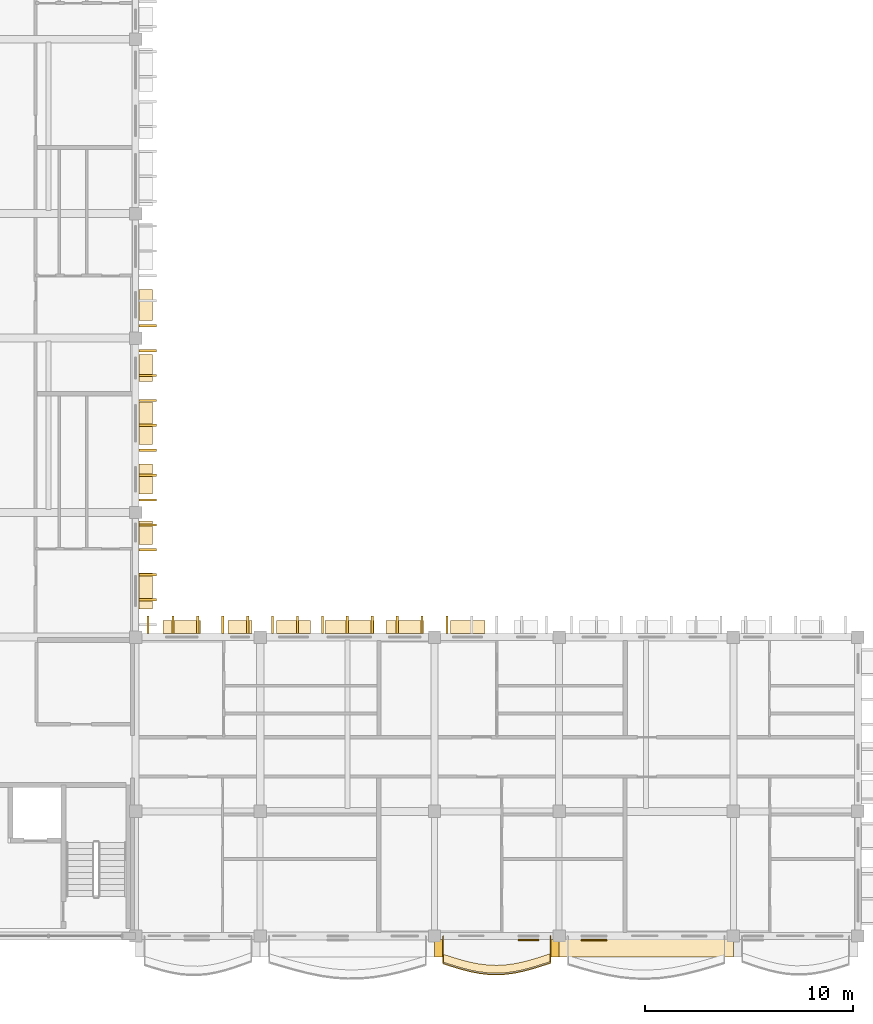
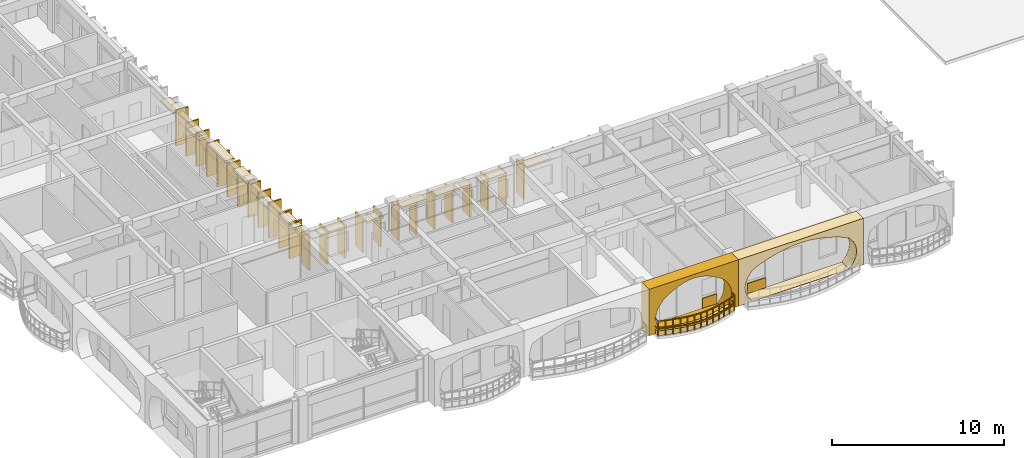
# One storey, part 71 of 101: 42 coverings, 1 railing.
"""IFC4 building model written with IfcOpenShell, lengths in metres."""

from ifc_helpers import new_model, si_unit, direction, frame, origin, origin_2d, place, context, subcontext, project, spatial, polyline, rectangle, outline, extrude, material, layer, layer_set, type_object, element, save


model = new_model("IFC4")

# Units and contexts
model_context = context("Model", 3, precision=1e-05, world=origin(), true_north=direction((0.0, 1.0)))
body_context = subcontext(model_context, "Body", "Model", "MODEL_VIEW")
ifc_project = project(units=[si_unit("LENGTHUNIT", "METRE"), si_unit("AREAUNIT", "SQUARE_METRE"), si_unit("VOLUMEUNIT", "CUBIC_METRE"), si_unit("PLANEANGLEUNIT", "RADIAN"), si_unit("MASSUNIT", "GRAM", prefix="KILO"), si_unit("THERMODYNAMICTEMPERATUREUNIT", "KELVIN")], contexts=[model_context])

# Site, building, storey
site_placement = place(None, origin())
site = spatial("IfcSite", under=ifc_project, at=site_placement, CompositionType="ELEMENT")
building_placement = place(site_placement, origin())
building = spatial("IfcBuilding", under=site, at=building_placement, Name="Thalorik Housing Commons", CompositionType="ELEMENT")
storey_placement = place(building_placement, frame((0.0, 0.0, 8.10009765625)))
storey = spatial("IfcBuildingStorey", under=building, at=storey_placement, Name="L02", CompositionType="ELEMENT", Elevation=8.10009765625)

# Coverings
ifc_material_1 = material(Name="Cobalt blue glazed ceramic facade tile panel", Category="masonry")
ifc_layer_1 = layer(ifc_material_1, 0.06005859375, Name="Cobalt blue glazed ceramic facade tile panel", Category="masonry")
ifc_layer_set_1 = layer_set([ifc_layer_1], Name="Cobalt blue glazed ceramic facade tile panel")
covering_type_1 = type_object("IfcCoveringType", Name="ARC-CLD-BLU-60", PredefinedType="CLADDING", material=ifc_layer_set_1)
covering_1_placement = place(storey_placement, frame((41.72998046875, 8.205078125, 0.0498046875), z_axis=(0.0, 0.0, 1.0), x_axis=(1.0, 0.0, 0.0)))
element("IfcCovering", 1, at=covering_1_placement, inside=storey, type_object=covering_type_1, Name="L02 De Stijl Recessed Window Spandrel 3608", PredefinedType="CLADDING", context=body_context, shape_type="SweptSolid", body=[
    extrude(rectangle(XDim=1.0, YDim=0.06005859375, at=origin_2d()), origin(), (0.0, 0.0, 1.0), 0.699951171875),
])
ifc_material_2 = material(Name="Precast concrete C40/50", Category="concrete")
ifc_layer_2 = layer(ifc_material_2, 0.85009765625, Name="Precast concrete C40/50", Category="concrete")
ifc_layer_set_2 = layer_set([ifc_layer_2], Name="Precast concrete C40/50")
covering_type_2 = type_object("IfcCoveringType", Name="ARC-CLD-CUSH-850", PredefinedType="CLADDING", material=ifc_layer_set_2)
covering_2_placement = place(storey_placement, frame((40.199951171875, 7.81494140625, 0.0), z_axis=(0.0, 0.0, 1.0), x_axis=(1.0, 0.0, 0.0)))
element("IfcCovering", 2, at=covering_2_placement, inside=storey, type_object=covering_type_2, Name="L02 White Precast Curved Cushion Bay Frame 3607", PredefinedType="CLADDING", context=body_context, shape_type="SweptSolid", body=[
    extrude(outline(polyline([(-3.0, 0.0), (3.0, 0.0), (3.0, 3.300048828125), (-3.0, 3.300048828125), (-3.0, 0.0)]), holes=[polyline([(2.080078125, 0.02490234375), (2.341064453125, 0.387451171875), (2.497802734375, 0.75), (2.550048828125, 1.112548828125), (2.497802734375, 1.47509765625), (2.341064453125, 1.83740234375), (2.080078125, 2.199951171875), (1.73681640625, 2.455810546875), (1.393310546875, 2.656494140625), (1.050048828125, 2.819091796875), (0.706787109375, 2.940185546875), (0.36328125, 3.014892578125), (0.02001953125, 3.0400390625), (-0.3232421875, 3.014892578125), (-0.666748046875, 2.940185546875), (-1.010009765625, 2.819091796875), (-1.353271484375, 2.656494140625), (-1.69677734375, 2.455810546875), (-2.0400390625, 2.199951171875), (-2.3232421875, 1.83740234375), (-2.493408203125, 1.47509765625), (-2.550048828125, 1.112548828125), (-2.493408203125, 0.75), (-2.3232421875, 0.387451171875), (-2.0400390625, 0.02490234375), (2.080078125, 0.02490234375)])]), frame((0.0, 0.425048828125, 0.0), z_axis=(0.0, -1.0, 0.0), x_axis=(1.0, 0.0, 0.0)), (0.0, 0.0, 1.0), 0.85009765625),
])
covering_3_placement = place(storey_placement, frame((47.39990234375, 7.81494140625, 0.0), z_axis=(0.0, 0.0, 1.0), x_axis=(1.0, 0.0, 0.0)))
element("IfcCovering", 3, at=covering_3_placement, inside=storey, type_object=covering_type_2, Name="L02 White Precast Curved Cushion Bay Frame 3609", PredefinedType="CLADDING", context=body_context, shape_type="SweptSolid", body=[
    extrude(outline(polyline([(-4.199951171875, 0.0), (4.199951171875, 0.0), (4.199951171875, 3.300048828125), (-4.199951171875, 3.300048828125), (-4.199951171875, 0.0)]), holes=[polyline([(3.239990234375, 0.02490234375), (3.523193359375, 0.394287109375), (3.693359375, 0.76318359375), (3.75, 1.132568359375), (3.693359375, 1.501708984375), (3.523193359375, 1.870849609375), (3.239990234375, 2.239990234375), (2.699951171875, 2.4833984375), (2.159912109375, 2.6748046875), (1.6201171875, 2.82958984375), (1.080078125, 2.94482421875), (0.5400390625, 3.01611328125), (0.0, 3.0400390625), (-0.5400390625, 3.01611328125), (-1.080078125, 2.94482421875), (-1.6201171875, 2.82958984375), (-2.159912109375, 2.6748046875), (-2.699951171875, 2.4833984375), (-3.239990234375, 2.239990234375), (-3.523193359375, 1.870849609375), (-3.693359375, 1.501708984375), (-3.75, 1.132568359375), (-3.693359375, 0.76318359375), (-3.523193359375, 0.394287109375), (-3.239990234375, 0.02490234375), (3.239990234375, 0.02490234375)])]), frame((0.0, 0.425048828125, 0.0), z_axis=(0.0, -1.0, 0.0), x_axis=(1.0, 0.0, 0.0)), (0.0, 0.0, 1.0), 0.85009765625),
])
ifc_layer_3 = layer(ifc_material_2, 0.85009765625, Name="Precast concrete C40/50", Category="concrete")
ifc_layer_set_3 = layer_set([ifc_layer_3], Name="Precast concrete C40/50")
covering_type_3 = type_object("IfcCoveringType", Name="ARC-CLD-FIN-850", PredefinedType="CLADDING", material=ifc_layer_set_3)
for number, where, z_axis, x_axis, name in (
    (4, (23.385009765625, 24.60009765625, 0.039794921875), (0.0, 0.0, 1.0), (0.0, 1.0, 0.0), "L02 Courtyard Precast Vertical Brise-Soleil Fin 3532"),
    (5, (23.385009765625, 25.800048828125, 0.039794921875), (0.0, 0.0, 1.0), (0.0, 1.0, 0.0), "L02 Courtyard Precast Vertical Brise-Soleil Fin 3533"),
    (6, (23.385009765625, 27.0, 0.039794921875), (0.0, 0.0, 1.0), (0.0, 1.0, 0.0), "L02 Courtyard Precast Vertical Brise-Soleil Fin 3534"),
    (7, (23.385009765625, 28.199951171875, 0.039794921875), (0.0, 0.0, 1.0), (0.0, 1.0, 0.0), "L02 Courtyard Precast Vertical Brise-Soleil Fin 3535"),
):
    element("IfcCovering", number, at=place(storey_placement, frame(where, z_axis=z_axis, x_axis=x_axis)), inside=storey, type_object=covering_type_3, Name=name, PredefinedType="CLADDING", context=body_context, shape_type="SweptSolid", body=[
        extrude(rectangle(XDim=0.110107421875, YDim=0.85009765625, at=origin_2d()), origin(), (0.0, 0.0, 1.0), 2.4951171875),
    ])
for number, where, z_axis, x_axis, name in (
    (8, (23.385009765625, 29.39990234375, 0.0400390625), (0.0, 0.0, 1.0), (0.0, 1.0, 0.0), "L02 Courtyard Precast Vertical Brise-Soleil Fin 3538"),
    (9, (23.385009765625, 30.60009765625, 0.0400390625), (0.0, 0.0, 1.0), (0.0, 1.0, 0.0), "L02 Courtyard Precast Vertical Brise-Soleil Fin 3539"),
    (10, (23.385009765625, 31.800048828125, 0.0400390625), (0.0, 0.0, 1.0), (0.0, 1.0, 0.0), "L02 Courtyard Precast Vertical Brise-Soleil Fin 3540"),
    (11, (23.385009765625, 33.0, 0.0400390625), (0.0, 0.0, 1.0), (0.0, 1.0, 0.0), "L02 Courtyard Precast Vertical Brise-Soleil Fin 3541"),
    (12, (23.385009765625, 34.199951171875, 0.0400390625), (0.0, 0.0, 1.0), (0.0, 1.0, 0.0), "L02 Courtyard Precast Vertical Brise-Soleil Fin 3542"),
    (13, (23.385009765625, 35.39990234375, 0.0400390625), (0.0, 0.0, 1.0), (0.0, 1.0, 0.0), "L02 Courtyard Precast Vertical Brise-Soleil Fin 3543"),
    (14, (23.385009765625, 36.60009765625, 0.0400390625), (0.0, 0.0, 1.0), (0.0, 1.0, 0.0), "L02 Courtyard Precast Vertical Brise-Soleil Fin 3544"),
):
    element("IfcCovering", number, at=place(storey_placement, frame(where, z_axis=z_axis, x_axis=x_axis)), inside=storey, type_object=covering_type_3, Name=name, PredefinedType="CLADDING", context=body_context, shape_type="SweptSolid", body=[
        extrude(rectangle(XDim=0.110107421875, YDim=0.85009765625, at=origin_2d()), origin(), (0.0, 0.0, 1.0), 2.344970703125),
    ])
covering_4_placement = place(storey_placement, frame((23.385009765625, 37.800048828125, 0.039794921875), z_axis=(0.0, 0.0, 1.0), x_axis=(0.0, 1.0, 0.0)))
element("IfcCovering", 15, at=covering_4_placement, inside=storey, type_object=covering_type_3, Name="L02 Courtyard Precast Vertical Brise-Soleil Fin 3548", PredefinedType="CLADDING", context=body_context, shape_type="SweptSolid", body=[
    extrude(rectangle(XDim=0.110107421875, YDim=0.85009765625, at=origin_2d()), origin(), (0.0, 0.0, 1.0), 2.4951171875),
])
covering_5_placement = place(storey_placement, frame((37.800048828125, 23.385009765625, 0.039794921875), z_axis=(0.0, 0.0, 1.0), x_axis=(-1.0, 0.0, 0.0)))
element("IfcCovering", 16, at=covering_5_placement, inside=storey, type_object=covering_type_3, Name="L02 Courtyard Precast Vertical Brise-Soleil Fin 3651", PredefinedType="CLADDING", context=body_context, shape_type="SweptSolid", body=[
    extrude(rectangle(XDim=0.110107421875, YDim=0.85009765625, at=origin_2d()), origin(), (0.0, 0.0, 1.0), 2.39501953125),
])
for number, where, z_axis, x_axis, name in (
    (17, (36.60009765625, 23.385009765625, 0.0400390625), (0.0, 0.0, 1.0), (-1.0, 0.0, 0.0), "L02 Courtyard Precast Vertical Brise-Soleil Fin 3654"),
    (18, (35.39990234375, 23.385009765625, 0.0400390625), (0.0, 0.0, 1.0), (-1.0, 0.0, 0.0), "L02 Courtyard Precast Vertical Brise-Soleil Fin 3655"),
    (19, (34.199951171875, 23.385009765625, 0.0400390625), (0.0, 0.0, 1.0), (-1.0, 0.0, 0.0), "L02 Courtyard Precast Vertical Brise-Soleil Fin 3656"),
    (20, (33.0, 23.385009765625, 0.0400390625), (0.0, 0.0, 1.0), (-1.0, 0.0, 0.0), "L02 Courtyard Precast Vertical Brise-Soleil Fin 3657"),
    (21, (31.800048828125, 23.385009765625, 0.0400390625), (0.0, 0.0, 1.0), (-1.0, 0.0, 0.0), "L02 Courtyard Precast Vertical Brise-Soleil Fin 3658"),
    (22, (30.60009765625, 23.385009765625, 0.0400390625), (0.0, 0.0, 1.0), (-1.0, 0.0, 0.0), "L02 Courtyard Precast Vertical Brise-Soleil Fin 3659"),
    (23, (29.39990234375, 23.385009765625, 0.0400390625), (0.0, 0.0, 1.0), (-1.0, 0.0, 0.0), "L02 Courtyard Precast Vertical Brise-Soleil Fin 3660"),
):
    element("IfcCovering", number, at=place(storey_placement, frame(where, z_axis=z_axis, x_axis=x_axis)), inside=storey, type_object=covering_type_3, Name=name, PredefinedType="CLADDING", context=body_context, shape_type="SweptSolid", body=[
        extrude(rectangle(XDim=0.110107421875, YDim=0.85009765625, at=origin_2d()), origin(), (0.0, 0.0, 1.0), 2.294921875),
    ])
for number, where, z_axis, x_axis, name in (
    (24, (28.199951171875, 23.385009765625, 0.039794921875), (0.0, 0.0, 1.0), (-1.0, 0.0, 0.0), "L02 Courtyard Precast Vertical Brise-Soleil Fin 3664"),
    (25, (27.0, 23.385009765625, 0.039794921875), (0.0, 0.0, 1.0), (-1.0, 0.0, 0.0), "L02 Courtyard Precast Vertical Brise-Soleil Fin 3665"),
    (26, (25.800048828125, 23.385009765625, 0.039794921875), (0.0, 0.0, 1.0), (-1.0, 0.0, 0.0), "L02 Courtyard Precast Vertical Brise-Soleil Fin 3666"),
    (27, (24.60009765625, 23.385009765625, 0.039794921875), (0.0, 0.0, 1.0), (-1.0, 0.0, 0.0), "L02 Courtyard Precast Vertical Brise-Soleil Fin 3667"),
    (28, (23.39990234375, 23.385009765625, 0.039794921875), (0.0, 0.0, 1.0), (-1.0, 0.0, 0.0), "L02 Courtyard Precast Vertical Brise-Soleil Fin 3668"),
):
    element("IfcCovering", number, at=place(storey_placement, frame(where, z_axis=z_axis, x_axis=x_axis)), inside=storey, type_object=covering_type_3, Name=name, PredefinedType="CLADDING", context=body_context, shape_type="SweptSolid", body=[
        extrude(rectangle(XDim=0.110107421875, YDim=0.85009765625, at=origin_2d()), origin(), (0.0, 0.0, 1.0), 2.39501953125),
    ])
ifc_layer_4 = layer(ifc_material_2, 0.64990234375, Name="Precast concrete C40/50", Category="concrete")
ifc_layer_set_4 = layer_set([ifc_layer_4], Name="Precast concrete C40/50")
covering_type_4 = type_object("IfcCoveringType", Name="ARC-CLD-HOOD-650", PredefinedType="CLADDING", material=ifc_layer_set_4)
covering_6_placement = place(storey_placement, frame((23.284912109375, 25.021484375, 2.31005859375), z_axis=(0.0, 0.0, 1.0), x_axis=(0.0, 1.0, 0.0)))
element("IfcCovering", 29, at=covering_6_placement, inside=storey, type_object=covering_type_4, Name="L02 Courtyard Precast Window Sun-Hood 3536", PredefinedType="CLADDING", context=body_context, shape_type="SweptSolid", body=[
    extrude(rectangle(XDim=1.719970703125, YDim=0.64990234375, at=origin_2d()), origin(), (0.0, 0.0, 1.0), 0.139892578125),
])
covering_7_placement = place(storey_placement, frame((23.284912109375, 27.831298828125, 1.98974609375), z_axis=(0.0, 0.0, 1.0), x_axis=(0.0, 1.0, 0.0)))
element("IfcCovering", 30, at=covering_7_placement, inside=storey, type_object=covering_type_4, Name="L02 Courtyard Precast Window Sun-Hood 3537", PredefinedType="CLADDING", context=body_context, shape_type="SweptSolid", body=[
    extrude(rectangle(XDim=1.139892578125, YDim=0.64990234375, at=origin_2d()), origin(), (0.0, 0.0, 1.0), 0.139892578125),
])
covering_8_placement = place(storey_placement, frame((23.284912109375, 30.407470703125, 2.27490234375), z_axis=(0.0, 0.0, 1.0), x_axis=(0.0, 1.0, 0.0)))
element("IfcCovering", 31, at=covering_8_placement, inside=storey, type_object=covering_type_4, Name="L02 Courtyard Precast Window Sun-Hood 3545", PredefinedType="CLADDING", context=body_context, shape_type="SweptSolid", body=[
    extrude(rectangle(XDim=1.43994140625, YDim=0.64990234375, at=origin_2d()), origin(), (0.0, 0.0, 1.0), 0.139892578125),
])
covering_9_placement = place(storey_placement, frame((23.284912109375, 33.1025390625, 2.27490234375), z_axis=(0.0, 0.0, 1.0), x_axis=(0.0, 1.0, 0.0)))
element("IfcCovering", 32, at=covering_9_placement, inside=storey, type_object=covering_type_4, Name="L02 Courtyard Precast Window Sun-Hood 3546", PredefinedType="CLADDING", context=body_context, shape_type="SweptSolid", body=[
    extrude(rectangle(XDim=2.0400390625, YDim=0.64990234375, at=origin_2d()), origin(), (0.0, 0.0, 1.0), 0.139892578125),
])
covering_10_placement = place(storey_placement, frame((23.284912109375, 35.764892578125, 1.98974609375), z_axis=(0.0, 0.0, 1.0), x_axis=(0.0, 1.0, 0.0)))
element("IfcCovering", 33, at=covering_10_placement, inside=storey, type_object=covering_type_4, Name="L02 Courtyard Precast Window Sun-Hood 3547", PredefinedType="CLADDING", context=body_context, shape_type="SweptSolid", body=[
    extrude(rectangle(XDim=1.2900390625, YDim=0.64990234375, at=origin_2d()), origin(), (0.0, 0.0, 1.0), 0.139892578125),
])
covering_11_placement = place(storey_placement, frame((23.284912109375, 38.801513671875, 2.08984375), z_axis=(0.0, 0.0, 1.0), x_axis=(0.0, 1.0, 0.0)))
element("IfcCovering", 34, at=covering_11_placement, inside=storey, type_object=covering_type_4, Name="L02 Courtyard Precast Window Sun-Hood 3553", PredefinedType="CLADDING", context=body_context, shape_type="SweptSolid", body=[
    extrude(rectangle(XDim=1.489990234375, YDim=0.64990234375, at=origin_2d()), origin(), (0.0, 0.0, 1.0), 0.139892578125),
])
covering_12_placement = place(storey_placement, frame((38.801513671875, 23.284912109375, 2.169921875), z_axis=(0.0, 0.0, 1.0), x_axis=(-1.0, 0.0, 0.0)))
element("IfcCovering", 35, at=covering_12_placement, inside=storey, type_object=covering_type_4, Name="L02 Courtyard Precast Window Sun-Hood 3653", PredefinedType="CLADDING", context=body_context, shape_type="SweptSolid", body=[
    extrude(rectangle(XDim=1.659912109375, YDim=0.64990234375, at=origin_2d()), origin(), (0.0, 0.0, 1.0), 0.139892578125),
])
covering_13_placement = place(storey_placement, frame((35.764892578125, 23.284912109375, 2.18994140625), z_axis=(0.0, 0.0, 1.0), x_axis=(-1.0, 0.0, 0.0)))
element("IfcCovering", 36, at=covering_13_placement, inside=storey, type_object=covering_type_4, Name="L02 Courtyard Precast Window Sun-Hood 3661", PredefinedType="CLADDING", context=body_context, shape_type="SweptSolid", body=[
    extrude(rectangle(XDim=1.7900390625, YDim=0.64990234375, at=origin_2d()), origin(), (0.0, 0.0, 1.0), 0.139892578125),
])
covering_14_placement = place(storey_placement, frame((33.1025390625, 23.284912109375, 2.22509765625), z_axis=(0.0, 0.0, 1.0), x_axis=(-1.0, 0.0, 0.0)))
element("IfcCovering", 37, at=covering_14_placement, inside=storey, type_object=covering_type_4, Name="L02 Courtyard Precast Window Sun-Hood 3662", PredefinedType="CLADDING", context=body_context, shape_type="SweptSolid", body=[
    extrude(rectangle(XDim=2.360107421875, YDim=0.64990234375, at=origin_2d()), origin(), (0.0, 0.0, 1.0), 0.139892578125),
])
covering_15_placement = place(storey_placement, frame((30.407470703125, 23.284912109375, 2.22509765625), z_axis=(0.0, 0.0, 1.0), x_axis=(-1.0, 0.0, 0.0)))
element("IfcCovering", 38, at=covering_15_placement, inside=storey, type_object=covering_type_4, Name="L02 Courtyard Precast Window Sun-Hood 3663", PredefinedType="CLADDING", context=body_context, shape_type="SweptSolid", body=[
    extrude(rectangle(XDim=1.639892578125, YDim=0.64990234375, at=origin_2d()), origin(), (0.0, 0.0, 1.0), 0.139892578125),
])
covering_16_placement = place(storey_placement, frame((27.831298828125, 23.284912109375, 1.98974609375), z_axis=(0.0, 0.0, 1.0), x_axis=(-1.0, 0.0, 0.0)))
element("IfcCovering", 39, at=covering_16_placement, inside=storey, type_object=covering_type_4, Name="L02 Courtyard Precast Window Sun-Hood 3669", PredefinedType="CLADDING", context=body_context, shape_type="SweptSolid", body=[
    extrude(rectangle(XDim=1.139892578125, YDim=0.64990234375, at=origin_2d()), origin(), (0.0, 0.0, 1.0), 0.139892578125),
])
covering_17_placement = place(storey_placement, frame((25.021484375, 23.284912109375, 2.18994140625), z_axis=(0.0, 0.0, 1.0), x_axis=(-1.0, 0.0, 0.0)))
element("IfcCovering", 40, at=covering_17_placement, inside=storey, type_object=covering_type_4, Name="L02 Courtyard Precast Window Sun-Hood 3670", PredefinedType="CLADDING", context=body_context, shape_type="SweptSolid", body=[
    extrude(rectangle(XDim=1.7900390625, YDim=0.64990234375, at=origin_2d()), origin(), (0.0, 0.0, 1.0), 0.139892578125),
])
ifc_material_3 = material(Name="Mineral ochre architectural terracotta panel", Category="masonry")
ifc_layer_5 = layer(ifc_material_3, 0.06494140625, Name="Mineral ochre architectural terracotta panel", Category="masonry")
ifc_layer_set_5 = layer_set([ifc_layer_5], Name="Mineral ochre architectural terracotta panel")
covering_type_5 = type_object("IfcCoveringType", Name="ARC-CLD-YEL-65", PredefinedType="CLADDING", material=ifc_layer_set_5)
covering_18_placement = place(storey_placement, frame((44.885009765625, 8.202392578125, 0.0498046875), z_axis=(0.0, 0.0, 1.0), x_axis=(1.0, 0.0, 0.0)))
element("IfcCovering", 41, at=covering_18_placement, inside=storey, type_object=covering_type_5, Name="L02 De Stijl Recessed Window Spandrel 3610", PredefinedType="CLADDING", context=body_context, shape_type="SweptSolid", body=[
    extrude(rectangle(XDim=1.25, YDim=0.06494140625, at=origin_2d()), origin(), (0.0, 0.0, 1.0), 0.699951171875),
])
ifc_material_4 = material(Name="Planted vegetated substrate and terracotta trough", Category="masonry")
ifc_layer_6 = layer(ifc_material_4, 0.340087890625, Name="Planted vegetated substrate and terracotta trough", Category="masonry")
ifc_layer_set_6 = layer_set([ifc_layer_6], Name="Planted vegetated substrate and terracotta trough")
covering_type_6 = type_object("IfcCoveringType", Name="ARC-COV-PLANTER", PredefinedType="USERDEFINED", material=ifc_layer_set_6)
covering_19_placement = place(storey_placement, origin())
element("IfcCovering", 42, at=covering_19_placement, inside=storey, type_object=covering_type_6, Name="L02 Balcony Slab-Edge Planted Trough 5574", ObjectType="PLANTER", PredefinedType="USERDEFINED", context=body_context, shape_type="SweptSolid", body=[
    extrude(outline(polyline([(37.6201171875, 7.1376953125), (38.050048828125, 6.999755859375), (38.47998046875, 6.87060546875), (38.909912109375, 6.759765625), (39.340087890625, 6.675048828125), (39.77001953125, 6.622802734375), (40.199951171875, 6.60693359375), (40.6298828125, 6.628662109375), (41.06005859375, 6.6865234375), (41.489990234375, 6.7763671875), (41.919921875, 6.891845703125), (42.35009765625, 7.02490234375), (42.780029296875, 7.165771484375), (42.780029296875, 7.5458984375), (42.35009765625, 7.40478515625), (41.919921875, 7.27197265625), (41.489990234375, 7.15625), (41.06005859375, 7.06640625), (40.6298828125, 7.0087890625), (40.199951171875, 6.987060546875), (39.77001953125, 7.0029296875), (39.340087890625, 7.05517578125), (38.909912109375, 7.1396484375), (38.47998046875, 7.250732421875), (38.050048828125, 7.3798828125), (37.6201171875, 7.517822265625), (37.6201171875, 7.1376953125)])), origin(), (0.0, 0.0, 1.0), 0.33984375),
])

# Railing
ifc_material_5 = material(Name="Steel S355", Category="steel")
railing_type = type_object("IfcRailingType", Name="ARC-RL-BAL-112", PredefinedType="BALUSTRADE", material=ifc_material_5)
railing_placement = place(storey_placement, frame((37.6201171875, 8.39990234375, 0.0)))
element("IfcRailing", 43, at=railing_placement, inside=storey, type_object=railing_type, Name="L02 Cushion Balcony Guardrail 258", PredefinedType="BALUSTRADE", context=body_context, shape_type="SweptSolid", body=[
    extrude(rectangle(XDim=0.050048828125, YDim=0.050048828125, at=origin_2d()), frame((0.0, 0.0, 1.09521484375), z_axis=(0.0, -1.0, 0.0), x_axis=(1.0, 0.0, 0.0)), (0.0, 0.0, 1.0), 1.33203125),
    extrude(rectangle(XDim=0.050048828125, YDim=0.050048828125, at=origin_2d()), frame((0.0, 0.0, 0.53515625), z_axis=(0.0, -1.0, 0.0), x_axis=(1.0, 0.0, 0.0)), (0.0, 0.0, 1.0), 1.33203125),
    extrude(rectangle(XDim=0.050048828125, YDim=0.050048828125, at=origin_2d()), frame((0.0, -1.33203125, 1.09521484375), z_axis=(0.952034186086, -0.30599168048, 0.0), x_axis=(0.30599168048, 0.952034186086, 0.0)), (0.0, 0.0, 1.0), 0.45166015625),
    extrude(rectangle(XDim=0.050048828125, YDim=0.050048828125, at=origin_2d()), frame((0.0, -1.33203125, 0.53515625), z_axis=(0.952034186086, -0.30599168048, 0.0), x_axis=(0.30599168048, 0.952034186086, 0.0)), (0.0, 0.0, 1.0), 0.45166015625),
    extrude(rectangle(XDim=0.050048828125, YDim=0.050048828125, at=origin_2d()), frame((0.429931640625, -1.47021484375, 1.09521484375), z_axis=(0.957871185663, -0.287198174918, 0.0), x_axis=(0.287198174918, 0.957871185663, 0.0)), (0.0, 0.0, 1.0), 0.44873046875),
    extrude(rectangle(XDim=0.050048828125, YDim=0.050048828125, at=origin_2d()), frame((0.429931640625, -1.47021484375, 0.53515625), z_axis=(0.957871185663, -0.287198174918, 0.0), x_axis=(0.287198174918, 0.957871185663, 0.0)), (0.0, 0.0, 1.0), 0.44873046875),
    extrude(rectangle(XDim=0.050048828125, YDim=0.050048828125, at=origin_2d()), frame((0.85986328125, -1.59912109375, 1.09521484375), z_axis=(0.968204332881, -0.250160687939, 0.0), x_axis=(0.250160687939, 0.968204332881, 0.0)), (0.0, 0.0, 1.0), 0.444091796875),
    extrude(rectangle(XDim=0.050048828125, YDim=0.050048828125, at=origin_2d()), frame((0.85986328125, -1.59912109375, 0.53515625), z_axis=(0.968204332881, -0.250160687939, 0.0), x_axis=(0.250160687939, 0.968204332881, 0.0)), (0.0, 0.0, 1.0), 0.444091796875),
    extrude(rectangle(XDim=0.050048828125, YDim=0.050048828125, at=origin_2d()), frame((1.289794921875, -1.710205078125, 1.09521484375), z_axis=(0.981154671571, -0.193223990372, 0.0), x_axis=(0.193223990372, 0.981154671571, 0.0)), (0.0, 0.0, 1.0), 0.4384765625),
    extrude(rectangle(XDim=0.050048828125, YDim=0.050048828125, at=origin_2d()), frame((1.289794921875, -1.710205078125, 0.53515625), z_axis=(0.981154671571, -0.193223990372, 0.0), x_axis=(0.193223990372, 0.981154671571, 0.0)), (0.0, 0.0, 1.0), 0.4384765625),
    extrude(rectangle(XDim=0.050048828125, YDim=0.050048828125, at=origin_2d()), frame((1.719970703125, -1.794921875, 1.09521484375), z_axis=(0.992764360791, -0.120078823878, 0.0), x_axis=(0.120078823878, 0.992764360791, 0.0)), (0.0, 0.0, 1.0), 0.43310546875),
    extrude(rectangle(XDim=0.050048828125, YDim=0.050048828125, at=origin_2d()), frame((1.719970703125, -1.794921875, 0.53515625), z_axis=(0.992764360791, -0.120078823878, 0.0), x_axis=(0.120078823878, 0.992764360791, 0.0)), (0.0, 0.0, 1.0), 0.43310546875),
    extrude(rectangle(XDim=0.050048828125, YDim=0.050048828125, at=origin_2d()), frame((2.14990234375, -1.846923828125, 1.09521484375), z_axis=(0.999319489991, -0.03688572791, 0.0), x_axis=(0.03688572791, 0.999319489991, 0.0)), (0.0, 0.0, 1.0), 0.43017578125),
    extrude(rectangle(XDim=0.050048828125, YDim=0.050048828125, at=origin_2d()), frame((2.14990234375, -1.846923828125, 0.53515625), z_axis=(0.999319489991, -0.03688572791, 0.0), x_axis=(0.03688572791, 0.999319489991, 0.0)), (0.0, 0.0, 1.0), 0.43017578125),
    extrude(rectangle(XDim=0.050048828125, YDim=0.050048828125, at=origin_2d()), frame((2.579833984375, -1.86279296875, 1.09521484375), z_axis=(0.99875375282, 0.049909330067, 0.0), x_axis=(-0.049909330067, 0.99875375282, 0.0)), (0.0, 0.0, 1.0), 0.430419921875),
    extrude(rectangle(XDim=0.050048828125, YDim=0.050048828125, at=origin_2d()), frame((2.579833984375, -1.86279296875, 0.53515625), z_axis=(0.99875375282, 0.049909330067, 0.0), x_axis=(-0.049909330067, 0.99875375282, 0.0)), (0.0, 0.0, 1.0), 0.430419921875),
    extrude(rectangle(XDim=0.050048828125, YDim=0.050048828125, at=origin_2d()), frame((3.009765625, -1.84130859375, 1.09521484375), z_axis=(0.991074957785, 0.13330576901, 0.0), x_axis=(-0.13330576901, 0.991074957785, 0.0)), (0.0, 0.0, 1.0), 0.43408203125),
    extrude(rectangle(XDim=0.050048828125, YDim=0.050048828125, at=origin_2d()), frame((3.009765625, -1.84130859375, 0.53515625), z_axis=(0.991074957785, 0.13330576901, 0.0), x_axis=(-0.13330576901, 0.991074957785, 0.0)), (0.0, 0.0, 1.0), 0.43408203125),
    extrude(rectangle(XDim=0.050048828125, YDim=0.050048828125, at=origin_2d()), frame((3.43994140625, -1.783447265625, 1.09521484375), z_axis=(0.978855377686, 0.204553537188, 0.0), x_axis=(-0.204553537188, 0.978855377686, 0.0)), (0.0, 0.0, 1.0), 0.439208984375),
    extrude(rectangle(XDim=0.050048828125, YDim=0.050048828125, at=origin_2d()), frame((3.43994140625, -1.783447265625, 0.53515625), z_axis=(0.978855377686, 0.204553537188, 0.0), x_axis=(-0.204553537188, 0.978855377686, 0.0)), (0.0, 0.0, 1.0), 0.439208984375),
    extrude(rectangle(XDim=0.050048828125, YDim=0.050048828125, at=origin_2d()), frame((3.869873046875, -1.693603515625, 1.09521484375), z_axis=(0.965631639751, 0.259914478843, 0.0), x_axis=(-0.259914478843, 0.965631639751, 0.0)), (0.0, 0.0, 1.0), 0.4453125),
    extrude(rectangle(XDim=0.050048828125, YDim=0.050048828125, at=origin_2d()), frame((3.869873046875, -1.693603515625, 0.53515625), z_axis=(0.965631639751, 0.259914478843, 0.0), x_axis=(-0.259914478843, 0.965631639751, 0.0)), (0.0, 0.0, 1.0), 0.4453125),
    extrude(rectangle(XDim=0.050048828125, YDim=0.050048828125, at=origin_2d()), frame((4.2998046875, -1.577880859375, 1.09521484375), z_axis=(0.955497171878, 0.295000261919, 0.0), x_axis=(-0.295000261919, 0.955497171878, 0.0)), (0.0, 0.0, 1.0), 0.4501953125),
    extrude(rectangle(XDim=0.050048828125, YDim=0.050048828125, at=origin_2d()), frame((4.2998046875, -1.577880859375, 0.53515625), z_axis=(0.955497171878, 0.295000261919, 0.0), x_axis=(-0.295000261919, 0.955497171878, 0.0)), (0.0, 0.0, 1.0), 0.4501953125),
    extrude(rectangle(XDim=0.050048828125, YDim=0.050048828125, at=origin_2d()), frame((4.72998046875, -1.445068359375, 1.09521484375), z_axis=(0.950289758629, 0.311366945332, 0.0), x_axis=(-0.311366945332, 0.950289758629, 0.0)), (0.0, 0.0, 1.0), 0.452392578125),
    extrude(rectangle(XDim=0.050048828125, YDim=0.050048828125, at=origin_2d()), frame((4.72998046875, -1.445068359375, 0.53515625), z_axis=(0.950289758629, 0.311366945332, 0.0), x_axis=(-0.311366945332, 0.950289758629, 0.0)), (0.0, 0.0, 1.0), 0.452392578125),
    extrude(rectangle(XDim=0.050048828125, YDim=0.050048828125, at=origin_2d()), frame((5.159912109375, -1.30419921875, 1.09521484375), z_axis=(0.0, 1.0, 0.0), x_axis=(-1.0, 0.0, 0.0)), (0.0, 0.0, 1.0), 1.30419921875),
    extrude(rectangle(XDim=0.050048828125, YDim=0.050048828125, at=origin_2d()), frame((5.159912109375, -1.30419921875, 0.53515625), z_axis=(0.0, 1.0, 0.0), x_axis=(-1.0, 0.0, 0.0)), (0.0, 0.0, 1.0), 1.30419921875),
    extrude(rectangle(XDim=0.0419921875, YDim=0.0419921875, at=origin_2d()), origin(), (0.0, 0.0, 1.0), 1.070068359375),
    extrude(rectangle(XDim=0.0419921875, YDim=0.0419921875, at=origin_2d()), frame((0.0, -1.33203125, 0.0)), (0.0, 0.0, 1.0), 1.070068359375),
    extrude(rectangle(XDim=0.0419921875, YDim=0.0419921875, at=origin_2d()), frame((0.429931640625, -1.47021484375, 0.0)), (0.0, 0.0, 1.0), 1.070068359375),
    extrude(rectangle(XDim=0.0419921875, YDim=0.0419921875, at=origin_2d()), frame((0.85986328125, -1.59912109375, 0.0)), (0.0, 0.0, 1.0), 1.070068359375),
    extrude(rectangle(XDim=0.0419921875, YDim=0.0419921875, at=origin_2d()), frame((1.289794921875, -1.710205078125, 0.0)), (0.0, 0.0, 1.0), 1.070068359375),
    extrude(rectangle(XDim=0.0419921875, YDim=0.0419921875, at=origin_2d()), frame((1.719970703125, -1.794921875, 0.0)), (0.0, 0.0, 1.0), 1.070068359375),
    extrude(rectangle(XDim=0.0419921875, YDim=0.0419921875, at=origin_2d()), frame((2.14990234375, -1.846923828125, 0.0)), (0.0, 0.0, 1.0), 1.070068359375),
    extrude(rectangle(XDim=0.0419921875, YDim=0.0419921875, at=origin_2d()), frame((2.579833984375, -1.86279296875, 0.0)), (0.0, 0.0, 1.0), 1.070068359375),
    extrude(rectangle(XDim=0.0419921875, YDim=0.0419921875, at=origin_2d()), frame((3.009765625, -1.84130859375, 0.0)), (0.0, 0.0, 1.0), 1.070068359375),
    extrude(rectangle(XDim=0.0419921875, YDim=0.0419921875, at=origin_2d()), frame((3.43994140625, -1.783447265625, 0.0)), (0.0, 0.0, 1.0), 1.070068359375),
    extrude(rectangle(XDim=0.0419921875, YDim=0.0419921875, at=origin_2d()), frame((3.869873046875, -1.693603515625, 0.0)), (0.0, 0.0, 1.0), 1.070068359375),
    extrude(rectangle(XDim=0.0419921875, YDim=0.0419921875, at=origin_2d()), frame((4.2998046875, -1.577880859375, 0.0)), (0.0, 0.0, 1.0), 1.070068359375),
    extrude(rectangle(XDim=0.0419921875, YDim=0.0419921875, at=origin_2d()), frame((4.72998046875, -1.445068359375, 0.0)), (0.0, 0.0, 1.0), 1.070068359375),
    extrude(rectangle(XDim=0.0419921875, YDim=0.0419921875, at=origin_2d()), frame((5.159912109375, -1.30419921875, 0.0)), (0.0, 0.0, 1.0), 1.070068359375),
    extrude(rectangle(XDim=0.0419921875, YDim=0.0419921875, at=origin_2d()), frame((5.159912109375, 0.0, 0.0)), (0.0, 0.0, 1.0), 1.070068359375),
])

save(model, "model.ifc")
